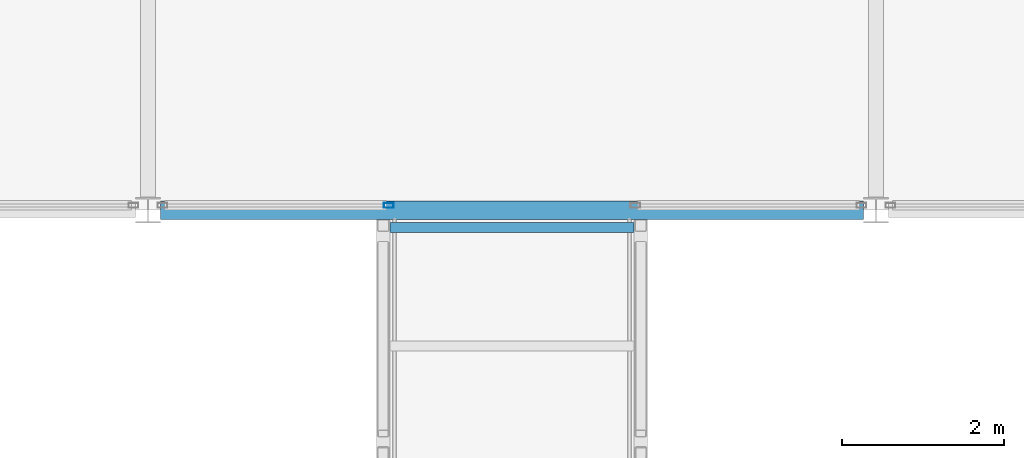
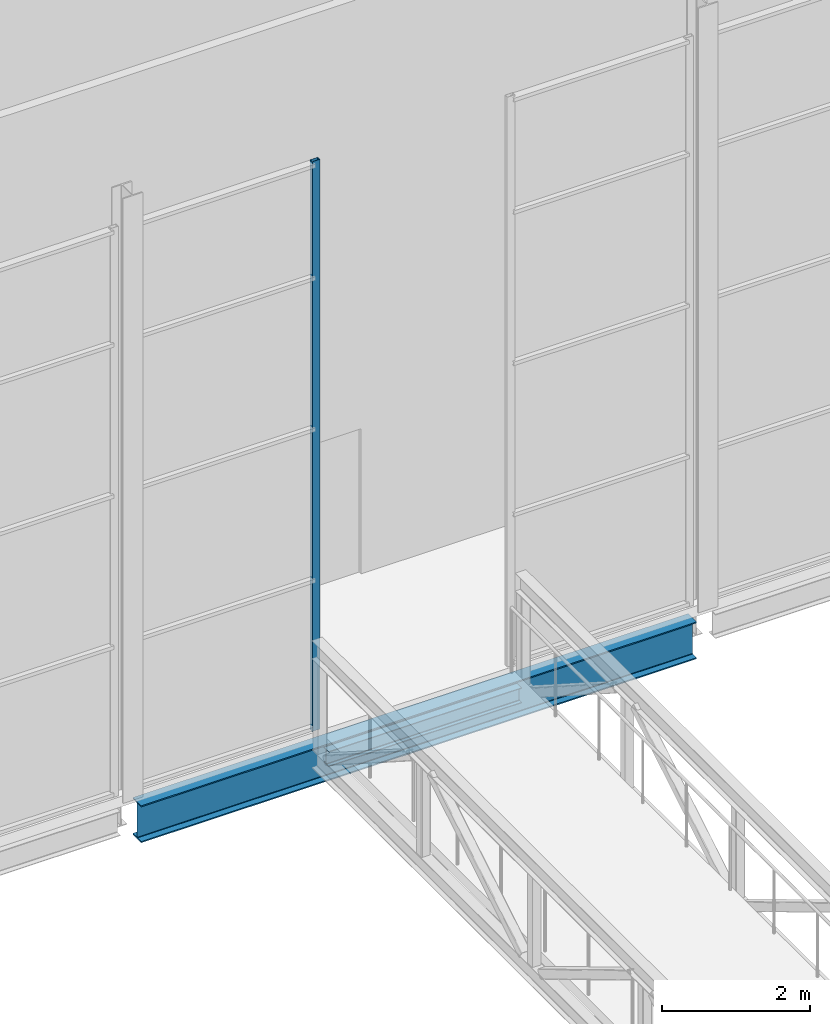
# One storey, part 48 of 111: 2 beams, 1 member, 1 element without a shape of its own.
"""IFC4 building model written with IfcOpenShell, lengths in metres."""

import ifcopenshell
import ifcopenshell.guid

model = None  # the IFC model being written
_history = None  # IfcOwnerHistory: only IFC2X3 demands one
_inside = {}  # id of a spatial element -> (the spatial element, [elements in it])
_under = {}  # id of a project, library or spatial element -> (it, [spatial elements below it])
_declared = {}  # id of a project -> (the project, [libraries it declares])
_typed = {}  # id of a type object -> (the type object, [elements of that type])
_made_of = {}  # id of a material, layer set ... -> (it, [elements and type objects made of it])


def new_model(schema):
    """Start an empty IFC model of exactly this schema.

    Asked for "IFC4X3", IfcOpenShell would pick the latest addendum, in which some entities
    have other attributes; the version numbers below select the first issue.
    IFC2X3 requires an IfcOwnerHistory on every rooted entity: one is made here for all.
    """
    global model, _history
    if schema == "IFC4X3":
        model = ifcopenshell.file(schema_version=(4, 3, 0, 0))
    else:
        model = ifcopenshell.file(schema=schema)
    _inside.clear()
    _under.clear()
    _declared.clear()
    _typed.clear()
    _made_of.clear()
    _history = None
    if model.schema == "IFC2X3":
        org = make("IfcOrganization", Name="unknown")
        user = make(
            "IfcPersonAndOrganization",
            ThePerson=make("IfcPerson", FamilyName="unknown"),
            TheOrganization=org,
        )
        app = make(
            "IfcApplication",
            ApplicationDeveloper=org,
            Version="unknown",
            ApplicationFullName="unknown",
            ApplicationIdentifier="unknown",
        )
        _history = make(
            "IfcOwnerHistory",
            OwningUser=user,
            OwningApplication=app,
            ChangeAction="ADDED",
            CreationDate=0,
        )
    return model


def make(cls, **values):
    """One entity of the class cls with the attributes given. An attribute that is None is left unset."""
    return model.create_entity(
        cls, **{name: value for name, value in values.items() if value is not None}
    )


def rooted(cls, **values):
    """An entity with a GlobalId (a new one), such as an element, a storey or a relation."""
    return make(cls, GlobalId=ifcopenshell.guid.new(), OwnerHistory=_history, **values)


def si_unit(unit_type, name, prefix=None):
    """IfcSIUnit, for example si_unit("LENGTHUNIT", "METRE", prefix="MILLI")."""
    return make("IfcSIUnit", UnitType=unit_type, Prefix=prefix, Name=name)


def assignment(units):
    """IfcUnitAssignment: the units of a project."""
    return None if units is None else make("IfcUnitAssignment", Units=units)


def point(xyz):
    """IfcCartesianPoint."""
    return None if xyz is None else make("IfcCartesianPoint", Coordinates=xyz)


def direction(xyz):
    """IfcDirection."""
    return None if xyz is None else make("IfcDirection", DirectionRatios=xyz)


def frame(location, z_axis=None, x_axis=None):
    """IfcAxis2Placement3D, a coordinate frame: its origin and axes. An axis left out is left unset."""
    return make(
        "IfcAxis2Placement3D",
        Location=point(location),
        Axis=direction(z_axis),
        RefDirection=direction(x_axis),
    )


def frame_2d(location, x_axis=None):
    """IfcAxis2Placement2D, a coordinate frame in the plane: its origin and x axis."""
    return make(
        "IfcAxis2Placement2D", Location=point(location), RefDirection=direction(x_axis)
    )


def origin():
    """The frame at (0, 0, 0) with its axes left unset."""
    return frame((0.0, 0.0, 0.0))


def origin_2d():
    """The frame at (0, 0) in the plane with its x axis left unset."""
    return frame_2d((0.0, 0.0))


def place(relative_to, where):
    """IfcLocalPlacement: puts the frame where relative to a parent placement (None: the world)."""
    return make(
        "IfcLocalPlacement", PlacementRelTo=relative_to, RelativePlacement=where
    )


def context(
    kind, dimensions, precision=None, world=None, true_north=None, identifier=None
):
    """IfcGeometricRepresentationContext, for example the 3D "Model" context."""
    return make(
        "IfcGeometricRepresentationContext",
        ContextIdentifier=identifier,
        ContextType=kind,
        CoordinateSpaceDimension=dimensions,
        Precision=precision,
        WorldCoordinateSystem=world,
        TrueNorth=true_north,
    )


def subcontext(parent, identifier, kind, view, scale=None):
    """IfcGeometricRepresentationSubContext, for example "Body" below "Model"."""
    return make(
        "IfcGeometricRepresentationSubContext",
        ContextIdentifier=identifier,
        ContextType=kind,
        ParentContext=parent,
        TargetScale=scale,
        TargetView=view,
    )


def project(units=None, contexts=None):
    """IfcProject with its units and contexts."""
    return rooted(
        "IfcProject",
        Name="project",
        RepresentationContexts=contexts,
        UnitsInContext=assignment(units),
    )


def spatial(cls, under=None, at=None, **own):
    """A site, building, storey or space (cls), placed at a placement, below another one or the project."""
    s = rooted(cls, ObjectPlacement=at, **own)
    if under is not None:
        _under.setdefault(under.id(), (under, []))[1].append(s)
    return s


def profile(cls, at=None, kind="AREA", **sizes):
    """A parametric profile (cls). Its sizes go by their IFC names, for example OverallWidth=200.0."""
    return make(cls, ProfileType=kind, Position=at, **sizes)


def hollow_rectangle(**sizes):
    """IfcRectangleHollowProfileDef."""
    return profile("IfcRectangleHollowProfileDef", **sizes)


def i_section(**sizes):
    """IfcIShapeProfileDef."""
    return profile("IfcIShapeProfileDef", **sizes)


def extrude(swept, where, along, depth):
    """IfcExtrudedAreaSolid: the profile swept, set in the frame where, extruded along a direction by depth."""
    return make(
        "IfcExtrudedAreaSolid",
        SweptArea=swept,
        Position=where,
        ExtrudedDirection=direction(along),
        Depth=depth,
    )


def shape(context_of_items, identifier, shape_type, items):
    """IfcShapeRepresentation: the items that make up one representation, for example the "Body"."""
    return make(
        "IfcShapeRepresentation",
        ContextOfItems=context_of_items,
        RepresentationIdentifier=identifier,
        RepresentationType=shape_type,
        Items=items,
    )


def material(Name=None, Category=None):
    """IfcMaterial."""
    return make("IfcMaterial", Name=Name, Category=Category)


def layer(
    of_material, thickness, ventilated=None, Name=None, Category=None, Priority=None
):
    """IfcMaterialLayer: one layer of a wall or slab, of a material (None: an air gap)."""
    return make(
        "IfcMaterialLayer",
        Material=of_material,
        LayerThickness=thickness,
        IsVentilated=ventilated,
        Name=Name,
        Category=Category,
        Priority=Priority,
    )


def layer_set(layers, Name=None):
    """IfcMaterialLayerSet."""
    return make("IfcMaterialLayerSet", MaterialLayers=layers, LayerSetName=Name)


def material_profile(
    of_material, cross_section, Name=None, Category=None, Priority=None
):
    """IfcMaterialProfile: a cross section and its material."""
    return make(
        "IfcMaterialProfile",
        Name=Name,
        Material=of_material,
        Profile=cross_section,
        Priority=Priority,
        Category=Category,
    )


def profile_set(profiles, Name=None, composite=None):
    """IfcMaterialProfileSet."""
    return make(
        "IfcMaterialProfileSet",
        Name=Name,
        MaterialProfiles=profiles,
        CompositeProfile=composite,
    )


def made_of(thing, what):
    """Note that an element or type object is made of a material, layer set ...; save() writes the relation."""
    if what is not None:
        _made_of.setdefault(what.id(), (what, []))[1].append(thing)
    return thing


def type_object(cls, material=None, **own):
    """A type object (cls), such as IfcWallType, which elements share."""
    return made_of(rooted(cls, **own), material)


def element(
    cls,
    number,
    at=None,
    inside=None,
    cuts=None,
    type_object=None,
    material=None,
    context=None,
    identifier="Body",
    shape_type=None,
    held_by="IfcProductDefinitionShape",
    body=None,
    shapes=None,
    **own,
):
    """One element of the class cls, such as IfcWall. Its Tag is "e" and its number.

    at: its placement. inside: the storey or other place that contains it. cuts: it is an
    opening in that element (IfcRelVoidsElement). A single representation is given by context,
    identifier, shape_type and body (its items); several are given by shapes. held_by: the class
    of the entity that holds the representations. save() writes the other relations.
    """
    e = rooted(cls, Tag="e%d" % number, ObjectPlacement=at, **own)
    if body is not None:
        shapes = [shape(context, identifier, shape_type, body)]
    if shapes is not None:
        e.Representation = make(held_by, Representations=shapes)
    if inside is not None:
        _inside.setdefault(inside.id(), (inside, []))[1].append(e)
    if cuts is not None:
        rooted(
            "IfcRelVoidsElement", RelatingBuildingElement=cuts, RelatedOpeningElement=e
        )
    if type_object is not None:
        _typed.setdefault(type_object.id(), (type_object, []))[1].append(e)
    return made_of(e, material)


def aggregate(whole, parts):
    """IfcRelAggregates: a whole, such as a stair, and the parts it consists of."""
    return rooted("IfcRelAggregates", RelatingObject=whole, RelatedObjects=parts)


def save(model, path):
    """Write the relations noted so far, then the file.

    IfcRelAggregates (storeys below a building ...), IfcRelContainedInSpatialStructure (elements
    in a storey), IfcRelDefinesByType, IfcRelAssociatesMaterial and IfcRelDeclares: one each for
    every whole, place, type object, material and project.
    """
    for whole, parts in _under.values():
        aggregate(whole, parts)
    for where, things in _inside.values():
        rooted(
            "IfcRelContainedInSpatialStructure",
            RelatedElements=things,
            RelatingStructure=where,
        )
    for kind, things in _typed.values():
        rooted("IfcRelDefinesByType", RelatedObjects=things, RelatingType=kind)
    for what, things in _made_of.values():
        rooted("IfcRelAssociatesMaterial", RelatedObjects=things, RelatingMaterial=what)
    for by, libraries in _declared.values():
        rooted("IfcRelDeclares", RelatingContext=by, RelatedDefinitions=libraries)
    model.write(path)


model = new_model("IFC4")

# Units and contexts
model_context = context("Model", 3, precision=1e-05, world=origin(), true_north=direction((0.0, 1.0)))
body_context = subcontext(model_context, "Body", "Model", "MODEL_VIEW")
ifc_project = project(units=[si_unit("LENGTHUNIT", "METRE"), si_unit("AREAUNIT", "SQUARE_METRE"), si_unit("VOLUMEUNIT", "CUBIC_METRE"), si_unit("PLANEANGLEUNIT", "RADIAN"), si_unit("MASSUNIT", "GRAM", prefix="KILO")], contexts=[model_context])

# Site, building, storey
site_placement = place(None, origin())
site = spatial("IfcSite", under=ifc_project, at=site_placement, CompositionType="ELEMENT")
building_placement = place(site_placement, origin())
building = spatial("IfcBuilding", under=site, at=building_placement, Name="Shorebreak Coast Museum", CompositionType="ELEMENT")
storey_placement = place(building_placement, frame((0.0, 0.0, 16.0)))
storey = spatial("IfcBuildingStorey", under=building, at=storey_placement, Name="L03", CompositionType="ELEMENT", Elevation=16.0)

# Beams
ifc_material_1 = material(Name="Steel Grade 300", Category="steel")
ifc_material_profile_1 = material_profile(ifc_material_1, i_section(OverallWidth=0.1240234375, OverallDepth=0.248046875, WebThickness=0.0048828125, FlangeThickness=0.008056640625, FilletRadius=0.011962890625, at=origin_2d()), Name="250UB25.7")
ifc_profile_set_1 = profile_set([ifc_material_profile_1], Name="Steel Grade 300")
beam_type_1 = type_object("IfcBeamType", Name="Atrium bridge cross beam 250UB25.7", PredefinedType="BEAM", material=ifc_profile_set_1)
beam_1_placement = place(storey_placement, frame((87.010009765625, 80.785400390625, -0.299072265625), z_axis=(-1.0, 0.0, 0.0), x_axis=(0.0, -1.0, 0.0)))
element("IfcBeam", 1, at=beam_1_placement, inside=storey, type_object=beam_type_1, Name="Atrium bridge cross beam BR2 13", PredefinedType="BEAM", context=body_context, shape_type="SweptSolid", body=[
    extrude(i_section(OverallWidth=0.1240234375, OverallDepth=0.248046875, WebThickness=0.0048828125, FlangeThickness=0.008056640625, FilletRadius=0.011962890625, at=origin_2d()), origin(), (0.0, 0.0, 1.0), 3.02001953125),
])
ifc_material_2 = material(Name="Steel Grade 300", Category="steel")
ifc_material_profile_2 = material_profile(ifc_material_2, i_section(OverallWidth=0.22900390625, OverallDepth=0.612060546875, WebThickness=0.011962890625, FlangeThickness=0.01953125, FilletRadius=0.013916015625, at=origin_2d()), Name="610UB125")
ifc_profile_set_2 = profile_set([ifc_material_profile_2], Name="Steel Grade 300")
beam_type_2 = type_object("IfcBeamType", Name="Bearing girder east-west 610UB125", PredefinedType="BEAM", material=ifc_profile_set_2)
beam_2_placement = place(storey_placement, frame((81.155517578125, 81.0, -0.48095703125), z_axis=(1.0, 0.0, 0.0), x_axis=(0.0, 1.0, 0.0)))
element("IfcBeam", 2, at=beam_2_placement, inside=storey, type_object=beam_type_2, Name="Bearing girder east-west L03 10K", PredefinedType="BEAM", context=body_context, shape_type="SweptSolid", body=[
    extrude(i_section(OverallWidth=0.22900390625, OverallDepth=0.612060546875, WebThickness=0.011962890625, FlangeThickness=0.01953125, FilletRadius=0.013916015625, at=origin_2d()), origin(), (0.0, 0.0, 1.0), 8.68896484375),
])

# Curtain wall, member
ifc_material_3 = material(Name="Aluminium", Category="aluminium")
ifc_layer = layer(ifc_material_3, 0.1201171875)
ifc_layer_set = layer_set([ifc_layer], Name="Aluminium")
curtain_wall_type = type_object("IfcCurtainWallType", Name="Atrium fire screen", PredefinedType="NOTDEFINED", material=ifc_layer_set)
curtain_wall_placement = place(storey_placement, origin())
curtain_wall = element("IfcCurtainWall", 3, at=curtain_wall_placement, inside=storey, type_object=curtain_wall_type, Name="Atrium screen L03 N 41", PredefinedType="NOTDEFINED")
ifc_material_4 = material(Name="Aluminium", Category="aluminium")
ifc_material_profile_3 = material_profile(ifc_material_4, hollow_rectangle(XDim=0.06005859375, YDim=0.1201171875, WallThickness=0.00341796875, at=origin_2d()), Name="AL 120x60 RHS")
ifc_profile_set_3 = profile_set([ifc_material_profile_3], Name="Aluminium")
member_type = type_object("IfcMemberType", Name="Screen mullion 50 x 120", PredefinedType="MULLION", material=ifc_profile_set_3)
member_placement = place(storey_placement, frame((83.97509765625, 81.06005859375, 0.0), z_axis=(0.0, 0.0, 1.0), x_axis=(0.0, 1.0, 0.0)))
member = element("IfcMember", 4, at=member_placement, type_object=member_type, Name="CW6 mullion 2", PredefinedType="MULLION", context=body_context, shape_type="SweptSolid", body=[
    extrude(hollow_rectangle(XDim=0.06005859375, YDim=0.1201171875, WallThickness=0.00341796875, at=origin_2d()), origin(), (0.0, 0.0, 1.0), 9.42236328125),
])
aggregate(curtain_wall, [member])

save(model, "model.ifc")
